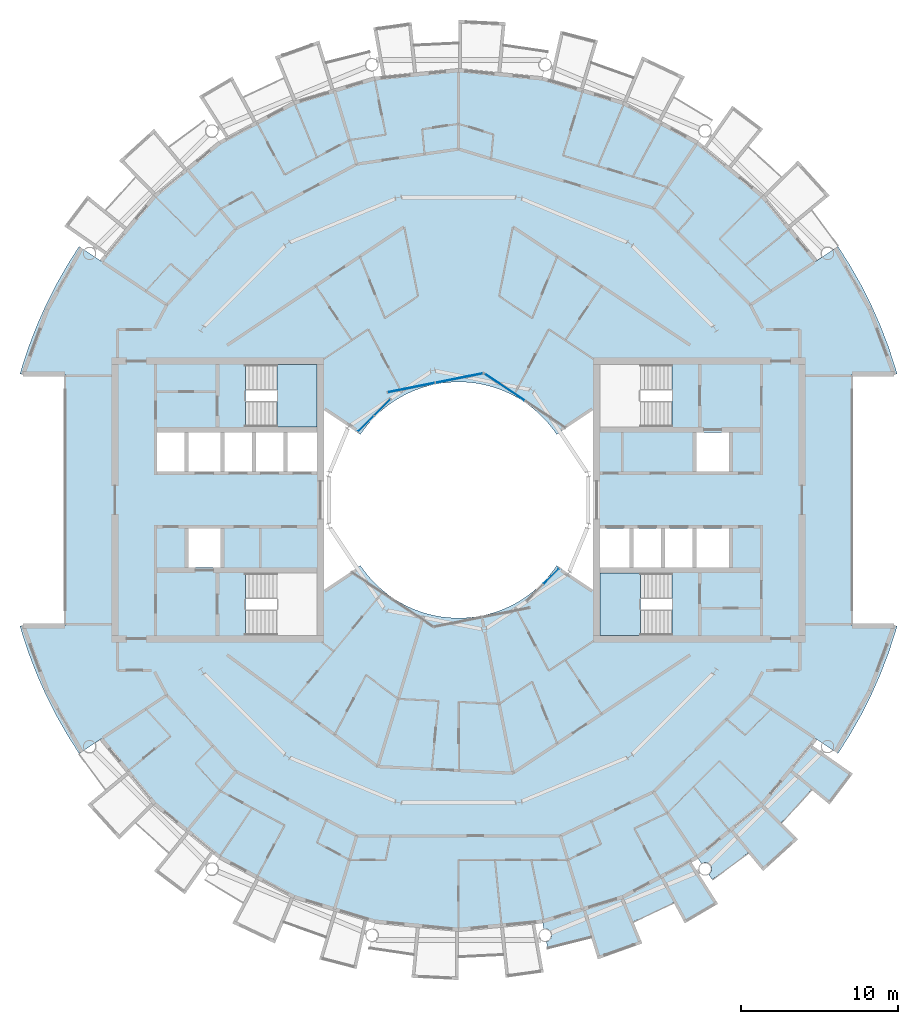
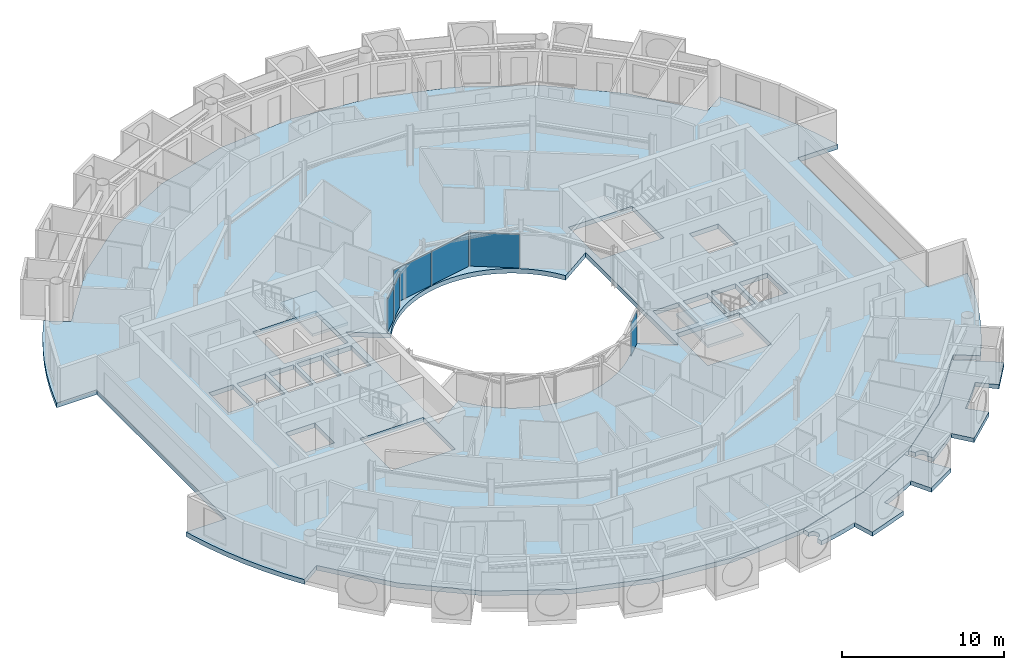
# One storey, part 12 of 28: 6 plates, 5 slabs, 6 elements without a shape of their own.
"""IFC4 building model written with IfcOpenShell, lengths in metres."""

from ifc_helpers import new_model, si_unit, direction, frame, origin, origin_2d, place, context, subcontext, project, spatial, polyline, rectangle, outline, extrude, material, layer, layer_set, type_object, element, aggregate, save


model = new_model("IFC4")

# Units and contexts
model_context = context("Model", 3, precision=1e-05, world=origin(), true_north=direction((0.0, 1.0)))
body_context = subcontext(model_context, "Body", "Model", "MODEL_VIEW")
ifc_project = project(units=[si_unit("LENGTHUNIT", "METRE"), si_unit("AREAUNIT", "SQUARE_METRE"), si_unit("VOLUMEUNIT", "CUBIC_METRE"), si_unit("PLANEANGLEUNIT", "RADIAN"), si_unit("MASSUNIT", "GRAM", prefix="KILO")], contexts=[model_context])

# Site, building, storey
site_placement = place(None, origin())
site = spatial("IfcSite", under=ifc_project, at=site_placement, CompositionType="ELEMENT")
building_placement = place(site_placement, origin())
building = spatial("IfcBuilding", under=site, at=building_placement, Name="Maasbend Ring Residences", CompositionType="ELEMENT")
storey_placement = place(building_placement, frame((0.0, 0.0, 218.800048828125)))
storey = spatial("IfcBuildingStorey", under=building, at=storey_placement, Name="L63", CompositionType="ELEMENT", Elevation=218.800048828125)

# Stair, slab
ifc_material_1 = material(Name="Concrete C40/50", Category="concrete")
stair_type = type_object("IfcStairType", Name="CORE STAIR 18 RISERS", PredefinedType="HALF_TURN_STAIR", material=ifc_material_1)
stair_1_placement = place(storey_placement, origin())
stair_1 = element("IfcStair", 1, at=stair_1_placement, inside=storey, type_object=stair_type, Name="L63 Exit stair ST-E2", PredefinedType="HALF_TURN_STAIR")
ifc_material_2 = material(Name="Concrete C40/50", Category="concrete")
ifc_layer_1 = layer(ifc_material_2, 0.199951171875)
ifc_layer_set_1 = layer_set([ifc_layer_1], Name="Concrete C40/50")
slab_type_1 = type_object("IfcSlabType", Name="CORE STAIR LANDING 200", PredefinedType="LANDING", material=ifc_layer_set_1)
slab_1_placement = place(storey_placement, frame((0.0, 0.0, 1.324951171875)))
slab_1 = element("IfcSlab", 2, at=slab_1_placement, type_object=slab_type_1, Name="ST-E2 landing 1", PredefinedType="LANDING", context=body_context, shape_type="SweptSolid", body=[
    extrude(outline(polyline([(11.550048828125, -4.64990234375), (9.0, -4.64990234375), (9.0, -8.60009765625), (11.550048828125, -8.60009765625), (11.550048828125, -4.64990234375)])), origin(), (0.0, 0.0, 1.0), 0.199951171875),
])
aggregate(stair_1, [slab_1])

stair_2_placement = place(storey_placement, origin())
stair_2 = element("IfcStair", 3, at=stair_2_placement, inside=storey, type_object=stair_type, Name="L63 Exit stair ST-W2", PredefinedType="HALF_TURN_STAIR")
slab_2_placement = place(storey_placement, frame((0.0, 0.0, 1.324951171875)))
slab_2 = element("IfcSlab", 4, at=slab_2_placement, type_object=slab_type_1, Name="ST-W2 landing 1", PredefinedType="LANDING", context=body_context, shape_type="SweptSolid", body=[
    extrude(outline(polyline([(-11.550048828125, 4.64990234375), (-9.0, 4.64990234375), (-9.0, 8.60009765625), (-11.550048828125, 8.60009765625), (-11.550048828125, 4.64990234375)])), origin(), (0.0, 0.0, 1.0), 0.199951171875),
])
aggregate(stair_2, [slab_2])

# Curtain wall, plate
ifc_material_3 = material(Name="Aluminium and clear glass", Category="aluminium")
ifc_layer_2 = layer(ifc_material_3, 0.179931640625)
ifc_layer_set_2 = layer_set([ifc_layer_2], Name="CW-W")
curtain_wall_type = type_object("IfcCurtainWallType", Name="CW-W", PredefinedType="NOTDEFINED", material=ifc_layer_set_2)
curtain_wall_1_placement = place(storey_placement, origin())
curtain_wall_1 = element("IfcCurtainWall", 5, at=curtain_wall_1_placement, inside=storey, type_object=curtain_wall_type, Name="Well curtain wall N1", PredefinedType="NOTDEFINED")
ifc_material_4 = material(Name="Glass clear laminated", Category="glass")
ifc_layer_3 = layer(ifc_material_4, 0.031982421875)
ifc_layer_set_3 = layer_set([ifc_layer_3], Name="CWP-W")
plate_type = type_object("IfcPlateType", Name="CWP-W", PredefinedType="CURTAIN_PANEL", material=ifc_layer_set_3)
plate_1_placement = place(storey_placement, frame((2.922119140625, 7.17578125, 0.0), z_axis=(0.0, 0.0, 1.0), x_axis=(-0.831469612303, 0.55557023302, 0.0)))
plate_1 = element("IfcPlate", 6, at=plate_1_placement, type_object=plate_type, Name="Glass panel well face", PredefinedType="CURTAIN_PANEL", context=body_context, shape_type="SweptSolid", body=[
    extrude(rectangle(XDim=3.053955078125, YDim=0.031982421875, at=origin_2d()), origin(), (0.0, 0.0, 1.0), 2.530029296875),
])
aggregate(curtain_wall_1, [plate_1])

# Curtain wall, plates
curtain_wall_2_placement = place(storey_placement, origin())
curtain_wall_2 = element("IfcCurtainWall", 7, at=curtain_wall_2_placement, inside=storey, type_object=curtain_wall_type, Name="Well curtain wall N2", PredefinedType="NOTDEFINED")
plate_2_placement = place(storey_placement, frame((0.04638671875, 7.747802734375, 0.0), z_axis=(0.0, 0.0, 1.0), x_axis=(-0.980785280403, -0.195090322016, 0.0)))
plate_2 = element("IfcPlate", 8, at=plate_2_placement, type_object=plate_type, Name="Glass panel well face", PredefinedType="CURTAIN_PANEL", context=body_context, shape_type="SweptSolid", body=[
    extrude(rectangle(XDim=3.053955078125, YDim=0.031982421875, at=origin_2d()), origin(), (0.0, 0.0, 1.0), 2.530029296875),
])
plate_3_placement = place(storey_placement, frame((-3.0078125, 7.140380859375, 0.0), z_axis=(0.0, 0.0, 1.0), x_axis=(-0.980785280403, -0.195090322016, 0.0)))
plate_3 = element("IfcPlate", 9, at=plate_3_placement, type_object=plate_type, Name="Glass panel well face", PredefinedType="CURTAIN_PANEL", context=body_context, shape_type="SweptSolid", body=[
    extrude(rectangle(XDim=3.053955078125, YDim=0.031982421875, at=origin_2d()), origin(), (0.0, 0.0, 1.0), 2.530029296875),
])
aggregate(curtain_wall_2, [plate_2, plate_3])

curtain_wall_3_placement = place(storey_placement, origin())
curtain_wall_3 = element("IfcCurtainWall", 10, at=curtain_wall_3_placement, inside=storey, type_object=curtain_wall_type, Name="Well curtain wall N3", PredefinedType="NOTDEFINED")
plate_4_placement = place(storey_placement, frame((-4.84375, 5.89013671875, 0.0), z_axis=(0.0, 0.0, 1.0), x_axis=(-0.707106781187, -0.707106781187, 0.0)))
plate_4 = element("IfcPlate", 11, at=plate_4_placement, type_object=plate_type, Name="Glass panel well face", PredefinedType="CURTAIN_PANEL", context=body_context, shape_type="SweptSolid", body=[
    extrude(rectangle(XDim=1.419677734375, YDim=0.031982421875, at=origin_2d()), origin(), (0.0, 0.0, 1.0), 2.530029296875),
])
plate_5_placement = place(storey_placement, frame((-5.89013671875, 4.84375, 0.0), z_axis=(0.0, 0.0, 1.0), x_axis=(-0.707106781187, -0.707106781187, 0.0)))
plate_5 = element("IfcPlate", 12, at=plate_5_placement, type_object=plate_type, Name="Glass panel well face", PredefinedType="CURTAIN_PANEL", context=body_context, shape_type="SweptSolid", body=[
    extrude(rectangle(XDim=1.419677734375, YDim=0.031982421875, at=origin_2d()), origin(), (0.0, 0.0, 1.0), 2.530029296875),
])
aggregate(curtain_wall_3, [plate_4, plate_5])

# Curtain wall, plate
curtain_wall_4_placement = place(storey_placement, origin())
curtain_wall_4 = element("IfcCurtainWall", 13, at=curtain_wall_4_placement, inside=storey, type_object=curtain_wall_type, Name="Well curtain wall S3", PredefinedType="NOTDEFINED")
plate_6_placement = place(storey_placement, frame((5.89013671875, -4.84375, 0.0), z_axis=(0.0, 0.0, 1.0), x_axis=(0.707106781187, 0.707106781187, 0.0)))
plate_6 = element("IfcPlate", 14, at=plate_6_placement, type_object=plate_type, Name="Glass panel well face", PredefinedType="CURTAIN_PANEL", context=body_context, shape_type="SweptSolid", body=[
    extrude(rectangle(XDim=1.419677734375, YDim=0.031982421875, at=origin_2d()), origin(), (0.0, 0.0, 1.0), 2.530029296875),
])
aggregate(curtain_wall_4, [plate_6])

# Slabs
ifc_material_5 = material(Name="Concrete C40/50", Category="concrete")
ifc_layer_4 = layer(ifc_material_5, 0.35009765625)
ifc_layer_set_4 = layer_set([ifc_layer_4], Name="Concrete C40/50")
slab_type_2 = type_object("IfcSlabType", Name="Post-tensioned flat plate 350", PredefinedType="FLOOR", material=ifc_layer_set_4)
slab_3_placement = place(storey_placement, frame((0.0, 0.0, -0.35009765625)))
element("IfcSlab", 15, at=slab_3_placement, inside=storey, type_object=slab_type_2, Name="Floor slab L63", PredefinedType="FLOOR", context=body_context, shape_type="SweptSolid", body=[
    extrude(outline(polyline([(24.8740234375, -14.908935546875), (25.57568359375, -13.67041015625), (26.2158203125, -12.399169921875), (26.79248046875, -11.097900390625), (27.3046875, -9.769775390625), (27.751220703125, -8.418212890625), (27.866943359375, -8.0), (25.0, -8.0), (25.0, 8.0), (27.866943359375, 8.0), (27.751220703125, 8.418212890625), (27.3046875, 9.769775390625), (26.79248046875, 11.097900390625), (26.2158203125, 12.399169921875), (25.57568359375, 13.67041015625), (24.8740234375, 14.908935546875), (24.112548828125, 16.111572265625), (22.69921875, 15.1669921875), (19.303955078125, 19.303955078125), (15.1669921875, 22.69921875), (10.447265625, 25.221923828125), (5.325927734375, 26.775390625), (0.0, 27.300048828125), (-5.325927734375, 26.775390625), (-10.447265625, 25.221923828125), (-15.1669921875, 22.69921875), (-19.303955078125, 19.303955078125), (-22.69921875, 15.1669921875), (-24.112548828125, 16.111572265625), (-24.8740234375, 14.908935546875), (-25.57568359375, 13.67041015625), (-26.2158203125, 12.399169921875), (-26.79248046875, 11.097900390625), (-27.3046875, 9.769775390625), (-27.751220703125, 8.418212890625), (-27.866943359375, 8.0), (-25.0, 8.0), (-25.0, -8.0), (-27.866943359375, -8.0), (-27.751220703125, -8.418212890625), (-27.3046875, -9.769775390625), (-26.79248046875, -11.097900390625), (-26.2158203125, -12.399169921875), (-25.57568359375, -13.67041015625), (-24.8740234375, -14.908935546875), (-24.112548828125, -16.111572265625), (-22.69921875, -15.1669921875), (-19.303955078125, -19.303955078125), (-15.1669921875, -22.69921875), (-10.447265625, -25.221923828125), (-5.325927734375, -26.775390625), (0.0, -27.300048828125), (5.325927734375, -26.775390625), (10.447265625, -25.221923828125), (15.1669921875, -22.69921875), (19.303955078125, -19.303955078125), (22.69921875, -15.1669921875), (24.112548828125, -16.111572265625), (24.8740234375, -14.908935546875)]), holes=[polyline([(15.125, 1.824951171875), (15.125, 4.27490234375), (17.175048828125, 4.27490234375), (17.175048828125, 1.824951171875), (15.125, 1.824951171875)]), polyline([(15.125, -4.27490234375), (15.125, -1.824951171875), (17.175048828125, -1.824951171875), (17.175048828125, -4.27490234375), (15.125, -4.27490234375)]), polyline([(13.125, -4.27490234375), (13.125, -1.824951171875), (14.875, -1.824951171875), (14.875, -4.27490234375), (13.125, -4.27490234375)]), polyline([(13.550048828125, 8.60009765625), (13.550048828125, 4.64990234375), (9.0, 4.64990234375), (9.0, 8.60009765625), (13.550048828125, 8.60009765625)]), polyline([(13.550048828125, -4.64990234375), (13.550048828125, -8.60009765625), (9.0, -8.60009765625), (9.0, -4.64990234375), (13.550048828125, -4.64990234375)]), polyline([(11.125, -4.27490234375), (11.125, -1.824951171875), (12.875, -1.824951171875), (12.875, -4.27490234375), (11.125, -4.27490234375)]), polyline([(9.0, -4.27490234375), (9.0, -1.824951171875), (10.875, -1.824951171875), (10.875, -4.27490234375), (9.0, -4.27490234375)]), polyline([(6.024169921875, 4.4677734375), (6.236083984375, 4.166748046875), (8.550048828125, 5.712890625), (8.550048828125, -5.712890625), (6.236083984375, -4.166748046875), (6.024169921875, -4.4677734375), (5.797607421875, -4.7578125), (5.55712890625, -5.03662109375), (5.30322265625, -5.30322265625), (5.03662109375, -5.55712890625), (4.7578125, -5.797607421875), (4.4677734375, -6.024169921875), (4.166748046875, -6.236083984375), (3.855712890625, -6.43310546875), (3.535400390625, -6.614501953125), (3.206787109375, -6.77978515625), (2.8701171875, -6.92919921875), (2.526611328125, -7.0615234375), (2.177001953125, -7.177001953125), (1.822509765625, -7.275146484375), (1.463134765625, -7.35595703125), (1.1005859375, -7.418701171875), (0.735107421875, -7.4638671875), (0.367919921875, -7.490966796875), (0.0, -7.5), (-0.367919921875, -7.490966796875), (-0.735107421875, -7.4638671875), (-1.1005859375, -7.418701171875), (-1.463134765625, -7.35595703125), (-1.822509765625, -7.275146484375), (-2.177001953125, -7.177001953125), (-2.526611328125, -7.0615234375), (-2.8701171875, -6.92919921875), (-3.206787109375, -6.77978515625), (-3.535400390625, -6.614501953125), (-3.855712890625, -6.43310546875), (-4.166748046875, -6.236083984375), (-4.4677734375, -6.024169921875), (-4.7578125, -5.797607421875), (-5.03662109375, -5.55712890625), (-5.30322265625, -5.30322265625), (-5.55712890625, -5.03662109375), (-5.797607421875, -4.7578125), (-6.024169921875, -4.4677734375), (-6.236083984375, -4.166748046875), (-8.550048828125, -5.712890625), (-8.550048828125, 5.712890625), (-6.236083984375, 4.166748046875), (-6.024169921875, 4.4677734375), (-5.797607421875, 4.7578125), (-5.55712890625, 5.03662109375), (-5.30322265625, 5.30322265625), (-5.03662109375, 5.55712890625), (-4.7578125, 5.797607421875), (-4.4677734375, 6.024169921875), (-4.166748046875, 6.236083984375), (-3.855712890625, 6.43310546875), (-3.535400390625, 6.614501953125), (-3.206787109375, 6.77978515625), (-2.8701171875, 6.92919921875), (-2.526611328125, 7.0615234375), (-2.177001953125, 7.177001953125), (-1.822509765625, 7.275146484375), (-1.463134765625, 7.35595703125), (-1.1005859375, 7.418701171875), (-0.735107421875, 7.4638671875), (-0.367919921875, 7.490966796875), (0.0, 7.5), (0.367919921875, 7.490966796875), (0.735107421875, 7.4638671875), (1.1005859375, 7.418701171875), (1.463134765625, 7.35595703125), (1.822509765625, 7.275146484375), (2.177001953125, 7.177001953125), (2.526611328125, 7.0615234375), (2.8701171875, 6.92919921875), (3.206787109375, 6.77978515625), (3.535400390625, 6.614501953125), (3.855712890625, 6.43310546875), (4.166748046875, 6.236083984375), (4.4677734375, 6.024169921875), (4.7578125, 5.797607421875), (5.03662109375, 5.55712890625), (5.30322265625, 5.30322265625), (5.55712890625, 5.03662109375), (5.797607421875, 4.7578125), (6.024169921875, 4.4677734375)]), polyline([(-13.550048828125, 4.64990234375), (-13.550048828125, 8.60009765625), (-9.0, 8.60009765625), (-9.0, 4.64990234375), (-13.550048828125, 4.64990234375)]), polyline([(-9.0, -8.60009765625), (-13.550048828125, -8.60009765625), (-13.550048828125, -4.64990234375), (-9.0, -4.64990234375), (-9.0, -8.60009765625)]), polyline([(-9.0, 4.27490234375), (-9.0, 1.824951171875), (-10.875, 1.824951171875), (-10.875, 4.27490234375), (-9.0, 4.27490234375)]), polyline([(-11.125, 4.27490234375), (-11.125, 1.824951171875), (-12.875, 1.824951171875), (-12.875, 4.27490234375), (-11.125, 4.27490234375)]), polyline([(-13.125, 4.27490234375), (-13.125, 1.824951171875), (-14.875, 1.824951171875), (-14.875, 4.27490234375), (-13.125, 4.27490234375)]), polyline([(-15.125, 4.27490234375), (-15.125, 1.824951171875), (-17.175048828125, 1.824951171875), (-17.175048828125, 4.27490234375), (-15.125, 4.27490234375)]), polyline([(-15.125, -1.824951171875), (-15.125, -4.27490234375), (-17.175048828125, -4.27490234375), (-17.175048828125, -1.824951171875), (-15.125, -1.824951171875)]), polyline([(-17.425048828125, 4.27490234375), (-17.425048828125, 1.824951171875), (-19.14990234375, 1.824951171875), (-19.14990234375, 4.27490234375), (-17.425048828125, 4.27490234375)])]), origin(), (0.0, 0.0, 1.0), 0.35009765625),
])
ifc_material_6 = material(Name="Concrete C40/50", Category="concrete")
ifc_layer_5 = layer(ifc_material_6, 0.199951171875)
ifc_layer_set_5 = layer_set([ifc_layer_5], Name="Concrete C40/50")
slab_type_3 = type_object("IfcSlabType", Name="SL-LOGGIA", PredefinedType="FLOOR", material=ifc_layer_set_5)
slab_4_placement = place(storey_placement, frame((0.0, 0.0, -0.35009765625)))
element("IfcSlab", 16, at=slab_4_placement, inside=storey, type_object=slab_type_3, Name="Loggia floor 2", PredefinedType="FLOOR", context=body_context, shape_type="SweptSolid", body=[
    extrude(outline(polyline([(10.447021484375, -25.221923828125), (12.806884765625, -23.9609375), (14.73291015625, -22.930908203125), (14.73291015625, -22.930908203125), (14.73291015625, -22.930908203125), (16.487060546875, -25.659912109375), (16.487060546875, -25.659912109375), (16.487060546875, -25.659912109375), (14.3779296875, -26.89892578125), (14.3779296875, -26.89892578125), (14.3779296875, -26.89892578125), (13.6708984375, -25.575927734375), (13.6708984375, -25.575927734375), (13.6708984375, -25.575927734375), (13.6708984375, -25.575927734375), (13.6708984375, -25.575927734375), (13.6708984375, -25.575927734375), (13.6708984375, -25.575927734375), (13.669921875, -25.575927734375), (13.669921875, -25.575927734375), (13.669921875, -25.575927734375), (13.669921875, -25.575927734375), (13.669921875, -25.575927734375), (13.669921875, -25.575927734375), (13.669921875, -25.575927734375), (13.669921875, -25.575927734375), (13.669921875, -25.575927734375), (13.669921875, -25.575927734375), (12.825927734375, -26.009033203125), (12.825927734375, -26.009033203125), (11.968994140625, -26.4150390625), (11.968994140625, -26.4150390625), (11.097900390625, -26.7919921875), (11.097900390625, -26.7919921875), (11.097900390625, -26.7919921875), (11.097900390625, -26.7919921875), (11.097900390625, -26.7919921875), (11.097900390625, -26.7919921875), (11.097900390625, -26.7919921875), (11.097900390625, -26.79296875), (11.097900390625, -26.79296875), (11.097900390625, -26.79296875), (11.097900390625, -26.79296875), (11.097900390625, -26.79296875), (11.097900390625, -26.79296875), (11.097900390625, -26.79296875), (11.097900390625, -26.79296875), (11.097900390625, -26.79296875), (11.097900390625, -26.79296875), (11.672119140625, -28.177978515625), (11.672119140625, -28.177978515625), (11.672119140625, -28.177978515625), (8.85400390625, -29.18701171875), (8.85400390625, -29.18701171875), (8.85400390625, -29.18701171875), (8.41796875, -27.751953125), (8.41796875, -27.751953125), (8.41796875, -27.751953125), (8.41796875, -27.751953125), (8.41796875, -27.751953125), (8.41796875, -27.751953125), (8.41796875, -27.751953125), (8.41796875, -27.7509765625), (8.41796875, -27.7509765625), (8.41796875, -27.7509765625), (8.41796875, -27.7509765625), (8.41796875, -27.7509765625), (8.41796875, -27.7509765625), (8.41796875, -27.7509765625), (8.41796875, -27.7509765625), (8.41796875, -27.7509765625), (8.41796875, -27.7509765625), (7.506103515625, -28.011962890625), (7.506103515625, -28.011962890625), (6.5849609375, -28.241943359375), (6.5849609375, -28.241943359375), (5.657958984375, -28.443115234375), (5.657958984375, -28.443115234375), (5.657958984375, -28.443115234375), (5.5810546875, -28.056884765625), (5.591064453125, -28.054931640625), (5.60009765625, -28.052001953125), (5.610107421875, -28.050048828125), (5.6201171875, -28.047119140625), (5.62890625, -28.0439453125), (5.637939453125, -28.041015625), (5.64794921875, -28.037109375), (5.656982421875, -28.033935546875), (5.666015625, -28.030029296875), (5.675048828125, -28.02587890625), (5.68408203125, -28.02099609375), (5.693115234375, -28.01708984375), (5.701904296875, -28.011962890625), (5.7099609375, -28.007080078125), (5.718994140625, -28.001953125), (5.72705078125, -27.99609375), (5.736083984375, -27.989990234375), (5.743896484375, -27.985107421875), (5.751953125, -27.97900390625), (5.759033203125, -27.971923828125), (5.76708984375, -27.966064453125), (5.77392578125, -27.958984375), (5.781982421875, -27.952880859375), (5.7890625, -27.946044921875), (5.7958984375, -27.93798828125), (5.802978515625, -27.930908203125), (5.80908203125, -27.924072265625), (5.81591796875, -27.916015625), (5.822021484375, -27.907958984375), (5.827880859375, -27.89990234375), (5.833984375, -27.89208984375), (5.839111328125, -27.884033203125), (5.844970703125, -27.8759765625), (5.85009765625, -27.866943359375), (5.85498046875, -27.85791015625), (5.860107421875, -27.85009765625), (5.864990234375, -27.841064453125), (5.868896484375, -27.83203125), (5.873046875, -27.822998046875), (5.876953125, -27.81396484375), (5.881103515625, -27.803955078125), (5.884033203125, -27.794921875), (5.886962890625, -27.785888671875), (5.889892578125, -27.77587890625), (5.89306640625, -27.76708984375), (5.89599609375, -27.757080078125), (5.89794921875, -27.7470703125), (5.89990234375, -27.737060546875), (5.902099609375, -27.72802734375), (5.904052734375, -27.718017578125), (5.905029296875, -27.7080078125), (5.906005859375, -27.697998046875), (5.906982421875, -27.68798828125), (5.907958984375, -27.677978515625), (5.907958984375, -27.66796875), (5.907958984375, -27.657958984375), (5.907958984375, -27.64794921875), (5.907958984375, -27.637939453125), (5.906982421875, -27.6279296875), (5.906005859375, -27.617919921875), (5.905029296875, -27.60791015625), (5.904052734375, -27.597900390625), (5.902099609375, -27.589111328125), (5.89990234375, -27.5791015625), (5.89794921875, -27.569091796875), (5.89599609375, -27.55908203125), (5.89306640625, -27.550048828125), (5.889892578125, -27.5400390625), (5.886962890625, -27.531005859375), (5.884033203125, -27.52099609375), (5.881103515625, -27.511962890625), (5.876953125, -27.5029296875), (5.873046875, -27.492919921875), (5.868896484375, -27.48388671875), (5.864990234375, -27.47509765625), (5.860107421875, -27.466064453125), (5.85498046875, -27.4580078125), (5.85009765625, -27.448974609375), (5.844970703125, -27.44091796875), (5.839111328125, -27.431884765625), (5.833984375, -27.424072265625), (5.827880859375, -27.416015625), (5.822021484375, -27.407958984375), (5.81591796875, -27.39990234375), (5.80908203125, -27.39306640625), (5.802978515625, -27.385009765625), (5.7958984375, -27.3779296875), (5.7890625, -27.37109375), (5.781982421875, -27.364013671875), (5.77392578125, -27.35693359375), (5.76708984375, -27.35009765625), (5.759033203125, -27.343994140625), (5.751953125, -27.337890625), (5.743896484375, -27.33203125), (5.736083984375, -27.325927734375), (5.72705078125, -27.320068359375), (5.718994140625, -27.31494140625), (5.7099609375, -27.30908203125), (5.701904296875, -27.303955078125), (5.693115234375, -27.300048828125), (5.68408203125, -27.294921875), (5.675048828125, -27.291015625), (5.666015625, -27.285888671875), (5.656982421875, -27.282958984375), (5.64794921875, -27.279052734375), (5.637939453125, -27.27490234375), (5.62890625, -27.27197265625), (5.6201171875, -27.26904296875), (5.610107421875, -27.26611328125), (5.60009765625, -27.263916015625), (5.591064453125, -27.260986328125), (5.5810546875, -27.259033203125), (5.571044921875, -27.258056640625), (5.56103515625, -27.256103515625), (5.551025390625, -27.2548828125), (5.541015625, -27.25390625), (5.531005859375, -27.2529296875), (5.52099609375, -27.251953125), (5.510986328125, -27.251953125), (5.501953125, -27.251953125), (5.491943359375, -27.251953125), (5.48193359375, -27.251953125), (5.471923828125, -27.2529296875), (5.4619140625, -27.25390625), (5.451904296875, -27.2548828125), (5.44189453125, -27.256103515625), (5.431884765625, -27.258056640625), (5.422119140625, -27.259033203125), (5.325927734375, -26.77490234375), (5.325927734375, -26.77490234375), (5.325927734375, -26.77490234375), (7.886962890625, -25.9990234375), (10.447021484375, -25.221923828125), (10.447021484375, -25.221923828125), (10.447021484375, -25.221923828125)])), origin(), (0.0, 0.0, 1.0), 0.320068359375),
])
slab_5_placement = place(storey_placement, frame((0.0, 0.0, -0.35009765625)))
element("IfcSlab", 17, at=slab_5_placement, inside=storey, type_object=slab_type_3, Name="Loggia floor 5", PredefinedType="FLOOR", context=body_context, shape_type="SweptSolid", body=[
    extrude(outline(polyline([(19.303955078125, -19.303955078125), (21.001953125, -17.236083984375), (22.386962890625, -15.547119140625), (22.386962890625, -15.547119140625), (22.386962890625, -15.547119140625), (25.051025390625, -17.39794921875), (25.051025390625, -17.39794921875), (25.051025390625, -17.39794921875), (23.576904296875, -19.34912109375), (23.576904296875, -19.34912109375), (23.576904296875, -19.34912109375), (22.41796875, -18.39794921875), (22.41796875, -18.39794921875), (22.41796875, -18.39794921875), (22.41796875, -18.39794921875), (22.41796875, -18.39794921875), (22.4169921875, -18.39794921875), (22.4169921875, -18.39794921875), (22.4169921875, -18.39794921875), (22.4169921875, -18.39794921875), (22.4169921875, -18.39794921875), (22.4169921875, -18.39794921875), (22.4169921875, -18.39794921875), (22.4169921875, -18.39794921875), (22.4169921875, -18.39794921875), (22.4169921875, -18.39794921875), (22.4169921875, -18.39794921875), (22.4169921875, -18.39794921875), (21.802978515625, -19.12109375), (21.802978515625, -19.12109375), (21.166015625, -19.823974609375), (21.166015625, -19.823974609375), (20.506103515625, -20.506103515625), (20.506103515625, -20.506103515625), (20.506103515625, -20.506103515625), (20.506103515625, -20.506103515625), (20.506103515625, -20.506103515625), (20.506103515625, -20.506103515625), (20.506103515625, -20.506103515625), (20.506103515625, -20.506103515625), (20.506103515625, -20.506103515625), (20.506103515625, -20.506103515625), (20.506103515625, -20.506103515625), (20.506103515625, -20.506103515625), (20.506103515625, -20.506103515625), (20.506103515625, -20.506103515625), (20.506103515625, -20.506103515625), (20.506103515625, -20.506103515625), (20.506103515625, -20.506103515625), (21.56689453125, -21.56689453125), (21.56689453125, -21.56689453125), (21.56689453125, -21.56689453125), (19.34912109375, -23.576904296875), (19.34912109375, -23.576904296875), (19.34912109375, -23.576904296875), (18.39794921875, -22.41796875), (18.39794921875, -22.41796875), (18.39794921875, -22.41796875), (18.39794921875, -22.41796875), (18.39794921875, -22.41796875), (18.39794921875, -22.41796875), (18.39697265625, -22.41796875), (18.39697265625, -22.41796875), (18.39697265625, -22.41796875), (18.39697265625, -22.41796875), (18.39697265625, -22.41796875), (18.39697265625, -22.41796875), (18.39697265625, -22.41796875), (18.39697265625, -22.41796875), (18.39697265625, -22.41796875), (18.39697265625, -22.41796875), (18.39697265625, -22.41796875), (17.654052734375, -23.007080078125), (17.654052734375, -23.007080078125), (16.89208984375, -23.572998046875), (16.89208984375, -23.572998046875), (16.112060546875, -24.113037109375), (16.112060546875, -24.113037109375), (16.112060546875, -24.113037109375), (15.89306640625, -23.784912109375), (15.89306640625, -23.784912109375), (15.90087890625, -23.780029296875), (15.908935546875, -23.77392578125), (15.9169921875, -23.76806640625), (15.925048828125, -23.761962890625), (15.93310546875, -23.7548828125), (15.93994140625, -23.7490234375), (15.947021484375, -23.741943359375), (15.955078125, -23.735107421875), (15.9619140625, -23.72802734375), (15.968017578125, -23.719970703125), (15.97509765625, -23.712890625), (15.98095703125, -23.705078125), (15.988037109375, -23.697021484375), (15.993896484375, -23.68994140625), (15.9990234375, -23.680908203125), (16.0048828125, -23.673095703125), (16.010986328125, -23.6650390625), (16.01611328125, -23.656005859375), (16.02099609375, -23.64794921875), (16.02587890625, -23.638916015625), (16.030029296875, -23.6298828125), (16.034912109375, -23.62109375), (16.0390625, -23.612060546875), (16.04296875, -23.60302734375), (16.0458984375, -23.593994140625), (16.050048828125, -23.583984375), (16.052978515625, -23.574951171875), (16.055908203125, -23.56494140625), (16.05908203125, -23.555908203125), (16.06103515625, -23.5458984375), (16.06396484375, -23.535888671875), (16.06591796875, -23.527099609375), (16.068115234375, -23.51708984375), (16.069091796875, -23.507080078125), (16.071044921875, -23.4970703125), (16.072021484375, -23.487060546875), (16.072021484375, -23.47705078125), (16.072998046875, -23.467041015625), (16.072998046875, -23.45703125), (16.073974609375, -23.447021484375), (16.072998046875, -23.43701171875), (16.072998046875, -23.427001953125), (16.072021484375, -23.4169921875), (16.072021484375, -23.407958984375), (16.071044921875, -23.39794921875), (16.069091796875, -23.387939453125), (16.068115234375, -23.3779296875), (16.06591796875, -23.367919921875), (16.06396484375, -23.35791015625), (16.06103515625, -23.34912109375), (16.05908203125, -23.339111328125), (16.055908203125, -23.3291015625), (16.052978515625, -23.320068359375), (16.050048828125, -23.31005859375), (16.0458984375, -23.301025390625), (16.04296875, -23.2919921875), (16.0390625, -23.282958984375), (16.034912109375, -23.27392578125), (16.030029296875, -23.264892578125), (16.02587890625, -23.256103515625), (16.02099609375, -23.2470703125), (16.01611328125, -23.238037109375), (16.010986328125, -23.22998046875), (16.0048828125, -23.221923828125), (15.9990234375, -23.212890625), (15.993896484375, -23.205078125), (15.988037109375, -23.197021484375), (15.98095703125, -23.18994140625), (15.97509765625, -23.181884765625), (15.968017578125, -23.174072265625), (15.9619140625, -23.1669921875), (15.955078125, -23.159912109375), (15.947021484375, -23.153076171875), (15.93994140625, -23.14599609375), (15.93310546875, -23.139892578125), (15.925048828125, -23.133056640625), (15.9169921875, -23.126953125), (15.908935546875, -23.12109375), (15.90087890625, -23.114990234375), (15.89306640625, -23.10888671875), (15.885009765625, -23.10400390625), (15.8759765625, -23.09912109375), (15.866943359375, -23.093994140625), (15.85888671875, -23.089111328125), (15.85009765625, -23.083984375), (15.841064453125, -23.080078125), (15.83203125, -23.075927734375), (15.822998046875, -23.072021484375), (15.81298828125, -23.068115234375), (15.803955078125, -23.06494140625), (15.794921875, -23.06103515625), (15.784912109375, -23.05810546875), (15.77587890625, -23.055908203125), (15.76611328125, -23.052978515625), (15.756103515625, -23.051025390625), (15.74609375, -23.049072265625), (15.737060546875, -23.047119140625), (15.72705078125, -23.044921875), (15.717041015625, -23.0439453125), (15.70703125, -23.04296875), (15.697021484375, -23.0419921875), (15.68701171875, -23.041015625), (15.677001953125, -23.041015625), (15.6669921875, -23.041015625), (15.656982421875, -23.041015625), (15.64697265625, -23.041015625), (15.636962890625, -23.0419921875), (15.626953125, -23.04296875), (15.616943359375, -23.0439453125), (15.60693359375, -23.044921875), (15.597900390625, -23.047119140625), (15.587890625, -23.049072265625), (15.577880859375, -23.051025390625), (15.568115234375, -23.052978515625), (15.55908203125, -23.055908203125), (15.549072265625, -23.05810546875), (15.5400390625, -23.06103515625), (15.530029296875, -23.06494140625), (15.52099609375, -23.068115234375), (15.511962890625, -23.072021484375), (15.501953125, -23.075927734375), (15.492919921875, -23.080078125), (15.48388671875, -23.083984375), (15.47509765625, -23.089111328125), (15.467041015625, -23.093994140625), (15.4580078125, -23.09912109375), (15.449951171875, -23.10400390625), (15.44091796875, -23.10888671875), (15.44091796875, -23.10888671875), (15.1669921875, -22.698974609375), (15.1669921875, -22.698974609375), (15.1669921875, -22.698974609375), (17.236083984375, -21.001953125), (19.303955078125, -19.303955078125), (19.303955078125, -19.303955078125), (19.303955078125, -19.303955078125)])), origin(), (0.0, 0.0, 1.0), 0.320068359375),
])

save(model, "model.ifc")
